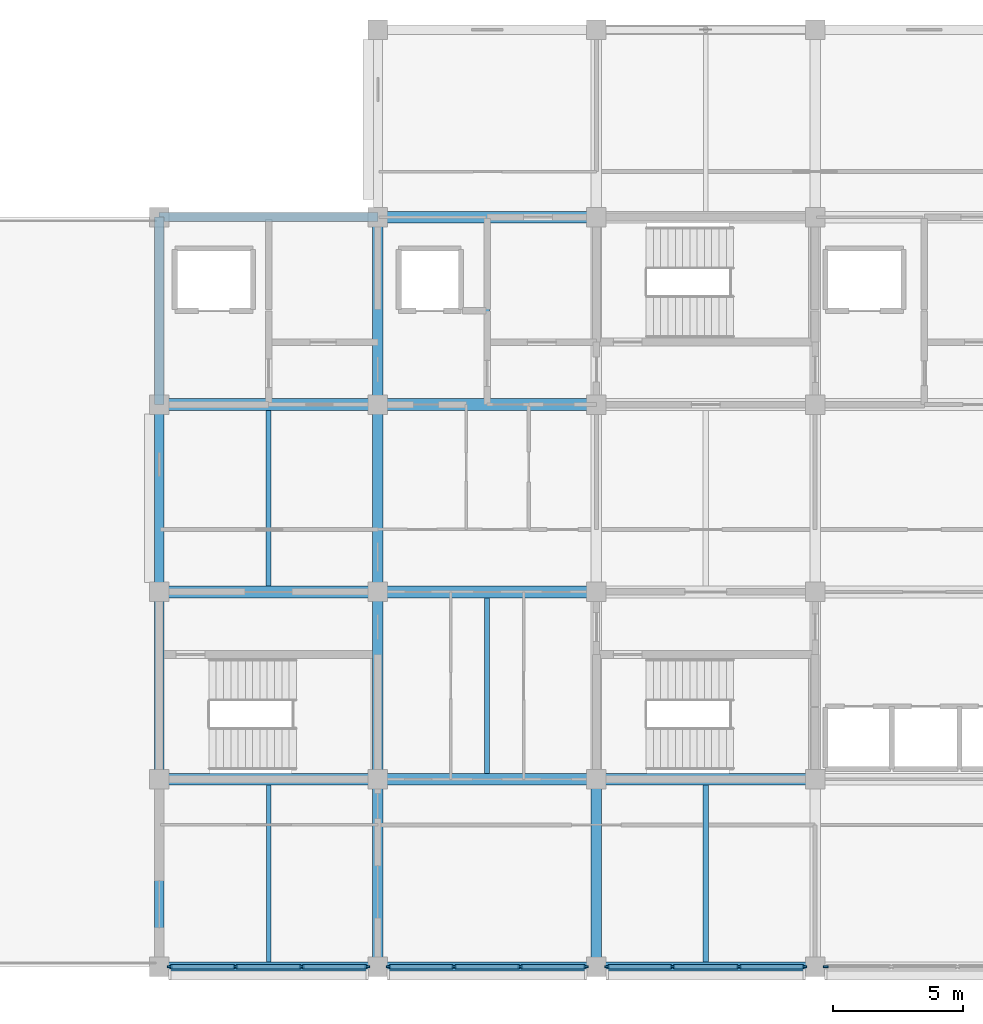
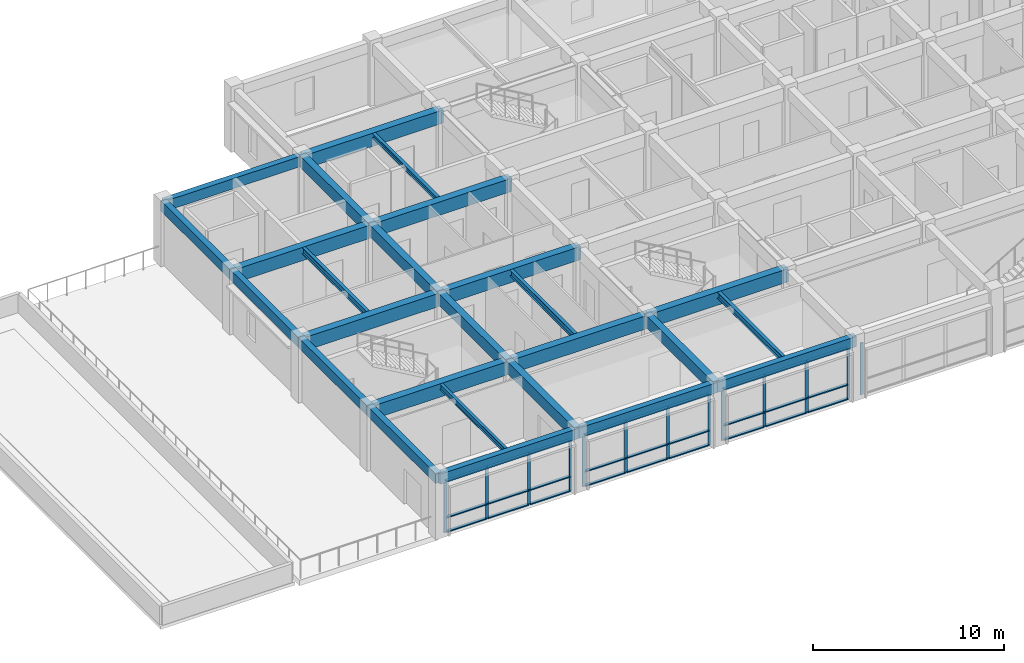
# One storey, part 2 of 27: 40 members, 26 beams, 4 elements without a shape of their own.
"""IFC4 building model written with IfcOpenShell, lengths in metres."""

from ifc_helpers import new_model, si_unit, direction, frame, origin, origin_2d, place, context, subcontext, project, spatial, rectangle, i_section, extrude, material, layer, layer_set, material_profile, profile_set, type_object, element, aggregate, save


model = new_model("IFC4")

# Units and contexts
model_context = context("Model", 3, precision=1e-05, world=origin(), true_north=direction((0.0, 1.0)))
body_context = subcontext(model_context, "Body", "Model", "MODEL_VIEW")
ifc_project = project(units=[si_unit("LENGTHUNIT", "METRE"), si_unit("AREAUNIT", "SQUARE_METRE"), si_unit("VOLUMEUNIT", "CUBIC_METRE"), si_unit("PLANEANGLEUNIT", "RADIAN"), si_unit("MASSUNIT", "GRAM", prefix="KILO")], contexts=[model_context])

# Site, building, storey
site_placement = place(None, origin())
site = spatial("IfcSite", under=ifc_project, at=site_placement, CompositionType="ELEMENT")
building_placement = place(site_placement, origin())
building = spatial("IfcBuilding", under=site, at=building_placement, Name="Chengyuan Square Courthouse", CompositionType="ELEMENT")
storey_placement = place(building_placement, frame((0.0, 0.0, 35.10009765625)))
storey = spatial("IfcBuildingStorey", under=building, at=storey_placement, Name="L08", CompositionType="ELEMENT", Elevation=35.10009765625)

# Beams
ifc_material_1 = material(Name="Concrete C40", Category="concrete")
ifc_material_profile_1 = material_profile(ifc_material_1, rectangle(XDim=0.449951171875, YDim=0.85009765625, at=origin_2d()), Name="RC-BM-450x850")
ifc_profile_set_1 = profile_set([ifc_material_profile_1], Name="Concrete C40")
beam_type_1 = type_object("IfcBeamType", Name="BM-01", PredefinedType="USERDEFINED", material=ifc_profile_set_1)
beam_1_placement = place(storey_placement, frame((42.0, 86.39990234375, 3.52490234375), z_axis=(1.0, 0.0, 0.0), x_axis=(0.0, 1.0, 0.0)))
element("IfcBeam", 1, at=beam_1_placement, inside=storey, type_object=beam_type_1, Name="Girder BM-L08-3778", ObjectType="GIRDER", PredefinedType="USERDEFINED", context=body_context, shape_type="SweptSolid", body=[
    extrude(rectangle(XDim=0.449951171875, YDim=0.85009765625, at=origin_2d()), origin(), (0.0, 0.0, 1.0), 8.39990234375),
])
beam_2_placement = place(storey_placement, frame((50.39990234375, 86.39990234375, 3.52490234375), z_axis=(1.0, 0.0, 0.0), x_axis=(0.0, 1.0, 0.0)))
element("IfcBeam", 2, at=beam_2_placement, inside=storey, type_object=beam_type_1, Name="Girder BM-L08-3779", ObjectType="GIRDER", PredefinedType="USERDEFINED", context=body_context, shape_type="SweptSolid", body=[
    extrude(rectangle(XDim=0.449951171875, YDim=0.85009765625, at=origin_2d()), origin(), (0.0, 0.0, 1.0), 8.400146484375),
])
for number, where, z_axis, x_axis, name in (
    (3, (58.800048828125, 86.39990234375, 3.52490234375), (1.0, 0.0, 0.0), (0.0, 1.0, 0.0), "Girder BM-L08-3780"),
    (4, (42.0, 93.60009765625, 3.52490234375), (1.0, 0.0, 0.0), (0.0, 1.0, 0.0), "Girder BM-L08-3788"),
):
    element("IfcBeam", number, at=place(storey_placement, frame(where, z_axis=z_axis, x_axis=x_axis)), inside=storey, type_object=beam_type_1, Name=name, ObjectType="GIRDER", PredefinedType="USERDEFINED", context=body_context, shape_type="SweptSolid", body=[
        extrude(rectangle(XDim=0.449951171875, YDim=0.85009765625, at=origin_2d()), origin(), (0.0, 0.0, 1.0), 8.39990234375),
    ])
beam_3_placement = place(storey_placement, frame((50.39990234375, 93.60009765625, 3.52490234375), z_axis=(1.0, 0.0, 0.0), x_axis=(0.0, 1.0, 0.0)))
element("IfcBeam", 5, at=beam_3_placement, inside=storey, type_object=beam_type_1, Name="Girder BM-L08-3789", ObjectType="GIRDER", PredefinedType="USERDEFINED", context=body_context, shape_type="SweptSolid", body=[
    extrude(rectangle(XDim=0.449951171875, YDim=0.85009765625, at=origin_2d()), origin(), (0.0, 0.0, 1.0), 8.400146484375),
])
beam_4_placement = place(storey_placement, frame((42.0, 100.800048828125, 3.52490234375), z_axis=(1.0, 0.0, 0.0), x_axis=(0.0, 1.0, 0.0)))
element("IfcBeam", 6, at=beam_4_placement, inside=storey, type_object=beam_type_1, Name="Girder BM-L08-3798", ObjectType="GIRDER", PredefinedType="USERDEFINED", context=body_context, shape_type="SweptSolid", body=[
    extrude(rectangle(XDim=0.449951171875, YDim=0.85009765625, at=origin_2d()), origin(), (0.0, 0.0, 1.0), 8.39990234375),
])
for number, where, z_axis, x_axis, name in (
    (7, (50.39990234375, 100.800048828125, 3.52490234375), (1.0, 0.0, 0.0), (0.0, 1.0, 0.0), "Girder BM-L08-3799"),
    (8, (50.39990234375, 108.0, 3.52490234375), (1.0, 0.0, 0.0), (0.0, 1.0, 0.0), "Girder BM-L08-3809"),
):
    element("IfcBeam", number, at=place(storey_placement, frame(where, z_axis=z_axis, x_axis=x_axis)), inside=storey, type_object=beam_type_1, Name=name, ObjectType="GIRDER", PredefinedType="USERDEFINED", context=body_context, shape_type="SweptSolid", body=[
        extrude(rectangle(XDim=0.449951171875, YDim=0.85009765625, at=origin_2d()), origin(), (0.0, 0.0, 1.0), 8.400146484375),
    ])
ifc_material_profile_2 = material_profile(ifc_material_1, rectangle(XDim=0.39990234375, YDim=0.75, at=origin_2d()), Name="RC-BM-400x750")
ifc_profile_set_2 = profile_set([ifc_material_profile_2], Name="Concrete C40")
beam_type_2 = type_object("IfcBeamType", Name="BM-02", PredefinedType="USERDEFINED", material=ifc_profile_set_2)
beam_5_placement = place(storey_placement, frame((50.39990234375, 79.199951171875, 3.574951171875), z_axis=(0.0, 1.0, 0.0), x_axis=(-1.0, 0.0, 0.0)))
element("IfcBeam", 9, at=beam_5_placement, inside=storey, type_object=beam_type_2, Name="Girder BM-L08-3830", ObjectType="GIRDER", PredefinedType="USERDEFINED", context=body_context, shape_type="SweptSolid", body=[
    extrude(rectangle(XDim=0.39990234375, YDim=0.75, at=origin_2d()), origin(), (0.0, 0.0, 1.0), 7.199951171875),
])
beam_6_placement = place(storey_placement, frame((50.39990234375, 86.39990234375, 3.574951171875), z_axis=(0.0, 1.0, 0.0), x_axis=(-1.0, 0.0, 0.0)))
element("IfcBeam", 10, at=beam_6_placement, inside=storey, type_object=beam_type_2, Name="Girder BM-L08-3831", ObjectType="GIRDER", PredefinedType="USERDEFINED", context=body_context, shape_type="SweptSolid", body=[
    extrude(rectangle(XDim=0.39990234375, YDim=0.75, at=origin_2d()), origin(), (0.0, 0.0, 1.0), 7.2001953125),
])
for number, where, z_axis, x_axis, name in (
    (11, (50.39990234375, 93.60009765625, 3.574951171875), (0.0, 1.0, 0.0), (-1.0, 0.0, 0.0), "Girder BM-L08-3832"),
    (12, (50.39990234375, 100.800048828125, 3.574951171875), (0.0, 1.0, 0.0), (-1.0, 0.0, 0.0), "Girder BM-L08-3833"),
    (13, (58.800048828125, 79.199951171875, 3.574951171875), (0.0, 1.0, 0.0), (-1.0, 0.0, 0.0), "Girder BM-L08-3835"),
):
    element("IfcBeam", number, at=place(storey_placement, frame(where, z_axis=z_axis, x_axis=x_axis)), inside=storey, type_object=beam_type_2, Name=name, ObjectType="GIRDER", PredefinedType="USERDEFINED", context=body_context, shape_type="SweptSolid", body=[
        extrude(rectangle(XDim=0.39990234375, YDim=0.75, at=origin_2d()), origin(), (0.0, 0.0, 1.0), 7.199951171875),
    ])
ifc_material_profile_3 = material_profile(ifc_material_1, rectangle(XDim=0.35009765625, YDim=0.64990234375, at=origin_2d()), Name="RC-BM-350x650")
ifc_profile_set_3 = profile_set([ifc_material_profile_3], Name="Concrete C40")
beam_type_3 = type_object("IfcBeamType", Name="BM-03", PredefinedType="SPANDREL", material=ifc_profile_set_3)
beam_7_placement = place(storey_placement, frame((42.0, 79.199951171875, 3.625), z_axis=(1.0, 0.0, 0.0), x_axis=(0.0, 1.0, 0.0)))
element("IfcBeam", 14, at=beam_7_placement, inside=storey, type_object=beam_type_3, Name="Girder BM-L08-3768", PredefinedType="SPANDREL", context=body_context, shape_type="SweptSolid", body=[
    extrude(rectangle(XDim=0.35009765625, YDim=0.64990234375, at=origin_2d()), origin(), (0.0, 0.0, 1.0), 8.39990234375),
])
beam_8_placement = place(storey_placement, frame((50.39990234375, 79.199951171875, 3.625), z_axis=(1.0, 0.0, 0.0), x_axis=(0.0, 1.0, 0.0)))
element("IfcBeam", 15, at=beam_8_placement, inside=storey, type_object=beam_type_3, Name="Girder BM-L08-3769", PredefinedType="SPANDREL", context=body_context, shape_type="SweptSolid", body=[
    extrude(rectangle(XDim=0.35009765625, YDim=0.64990234375, at=origin_2d()), origin(), (0.0, 0.0, 1.0), 8.400146484375),
])
for number, where, z_axis, x_axis, name in (
    (16, (58.800048828125, 79.199951171875, 3.625), (1.0, 0.0, 0.0), (0.0, 1.0, 0.0), "Girder BM-L08-3770"),
    (17, (42.0, 108.0, 3.625), (1.0, 0.0, 0.0), (0.0, 1.0, 0.0), "Girder BM-L08-3808"),
):
    element("IfcBeam", number, at=place(storey_placement, frame(where, z_axis=z_axis, x_axis=x_axis)), inside=storey, type_object=beam_type_3, Name=name, PredefinedType="SPANDREL", context=body_context, shape_type="SweptSolid", body=[
        extrude(rectangle(XDim=0.35009765625, YDim=0.64990234375, at=origin_2d()), origin(), (0.0, 0.0, 1.0), 8.39990234375),
    ])
beam_9_placement = place(storey_placement, frame((42.0, 79.199951171875, 3.625), z_axis=(0.0, 1.0, 0.0), x_axis=(-1.0, 0.0, 0.0)))
element("IfcBeam", 18, at=beam_9_placement, inside=storey, type_object=beam_type_3, Name="Girder BM-L08-3826", PredefinedType="SPANDREL", context=body_context, shape_type="SweptSolid", body=[
    extrude(rectangle(XDim=0.35009765625, YDim=0.64990234375, at=origin_2d()), origin(), (0.0, 0.0, 1.0), 7.199951171875),
])
beam_10_placement = place(storey_placement, frame((42.0, 86.39990234375, 3.625), z_axis=(0.0, 1.0, 0.0), x_axis=(-1.0, 0.0, 0.0)))
element("IfcBeam", 19, at=beam_10_placement, inside=storey, type_object=beam_type_3, Name="Girder BM-L08-3827", PredefinedType="SPANDREL", context=body_context, shape_type="SweptSolid", body=[
    extrude(rectangle(XDim=0.35009765625, YDim=0.64990234375, at=origin_2d()), origin(), (0.0, 0.0, 1.0), 7.2001953125),
])
for number, where, z_axis, x_axis, name in (
    (20, (42.0, 93.60009765625, 3.625), (0.0, 1.0, 0.0), (-1.0, 0.0, 0.0), "Girder BM-L08-3828"),
    (21, (42.0, 100.800048828125, 3.625), (0.0, 1.0, 0.0), (-1.0, 0.0, 0.0), "Girder BM-L08-3829"),
):
    element("IfcBeam", number, at=place(storey_placement, frame(where, z_axis=z_axis, x_axis=x_axis)), inside=storey, type_object=beam_type_3, Name=name, PredefinedType="SPANDREL", context=body_context, shape_type="SweptSolid", body=[
        extrude(rectangle(XDim=0.35009765625, YDim=0.64990234375, at=origin_2d()), origin(), (0.0, 0.0, 1.0), 7.199951171875),
    ])
ifc_material_2 = material(Name="Steel Q355B", Category="steel")
ifc_material_profile_4 = material_profile(ifc_material_2, i_section(OverallWidth=0.199951171875, OverallDepth=0.39990234375, WebThickness=0.008056640625, FlangeThickness=0.012939453125, at=origin_2d()), Name="HN 400x200x8x13")
ifc_profile_set_4 = profile_set([ifc_material_profile_4], Name="Steel Q355B")
beam_type_4 = type_object("IfcBeamType", Name="BM-07", PredefinedType="BEAM", material=ifc_profile_set_4)
for number, where, z_axis, x_axis, name in (
    (22, (46.199951171875, 93.824951171875, 3.75), (0.0, 1.0, 0.0), (-1.0, 0.0, 0.0), "Secondary Floor Beam SBM-L08-3880"),
    (23, (54.60009765625, 86.625, 3.75), (0.0, 1.0, 0.0), (-1.0, 0.0, 0.0), "Secondary Floor Beam SBM-L08-3881"),
):
    element("IfcBeam", number, at=place(storey_placement, frame(where, z_axis=z_axis, x_axis=x_axis)), inside=storey, type_object=beam_type_4, Name=name, PredefinedType="BEAM", context=body_context, shape_type="SweptSolid", body=[
        extrude(i_section(OverallWidth=0.199951171875, OverallDepth=0.39990234375, WebThickness=0.008056640625, FlangeThickness=0.012939453125, at=origin_2d()), origin(), (0.0, 0.0, 1.0), 6.75),
    ])
beam_11_placement = place(storey_placement, frame((63.0, 79.375, 3.75), z_axis=(0.0, 1.0, 0.0), x_axis=(-1.0, 0.0, 0.0)))
element("IfcBeam", 24, at=beam_11_placement, inside=storey, type_object=beam_type_4, Name="Secondary Floor Beam SBM-L08-3883", PredefinedType="BEAM", context=body_context, shape_type="SweptSolid", body=[
    extrude(i_section(OverallWidth=0.199951171875, OverallDepth=0.39990234375, WebThickness=0.008056640625, FlangeThickness=0.012939453125, at=origin_2d()), origin(), (0.0, 0.0, 1.0), 6.800048828125),
])
ifc_material_profile_5 = material_profile(ifc_material_2, i_section(OverallWidth=0.175048828125, OverallDepth=0.35009765625, WebThickness=0.007080078125, FlangeThickness=0.010986328125, at=origin_2d()), Name="HN 350x175x7x11")
ifc_profile_set_5 = profile_set([ifc_material_profile_5], Name="Steel Q355B")
beam_type_5 = type_object("IfcBeamType", Name="BM-08", PredefinedType="BEAM", material=ifc_profile_set_5)
beam_12_placement = place(storey_placement, frame((46.199951171875, 79.375, 3.77490234375), z_axis=(0.0, 1.0, 0.0), x_axis=(-1.0, 0.0, 0.0)))
element("IfcBeam", 25, at=beam_12_placement, inside=storey, type_object=beam_type_5, Name="Secondary Floor Beam SBM-L08-3879", PredefinedType="BEAM", context=body_context, shape_type="SweptSolid", body=[
    extrude(i_section(OverallWidth=0.175048828125, OverallDepth=0.35009765625, WebThickness=0.007080078125, FlangeThickness=0.010986328125, at=origin_2d()), origin(), (0.0, 0.0, 1.0), 6.800048828125),
])
ifc_material_profile_6 = material_profile(ifc_material_2, i_section(OverallWidth=0.199951171875, OverallDepth=0.300048828125, WebThickness=0.008056640625, FlangeThickness=0.011962890625, at=origin_2d()), Name="HM 300x200x8x12")
ifc_profile_set_6 = profile_set([ifc_material_profile_6], Name="Steel Q355B")
beam_type_6 = type_object("IfcBeamType", Name="BM-09", PredefinedType="BEAM", material=ifc_profile_set_6)
beam_13_placement = place(storey_placement, frame((54.60009765625, 101.02490234375, 3.7998046875), z_axis=(0.0, 1.0, 0.0), x_axis=(-1.0, 0.0, 0.0)))
element("IfcBeam", 26, at=beam_13_placement, inside=storey, type_object=beam_type_6, Name="Secondary Floor Beam SBM-L08-3882", PredefinedType="BEAM", context=body_context, shape_type="SweptSolid", body=[
    extrude(i_section(OverallWidth=0.199951171875, OverallDepth=0.300048828125, WebThickness=0.008056640625, FlangeThickness=0.011962890625, at=origin_2d()), origin(), (0.0, 0.0, 1.0), 6.75),
])

# Curtain wall, members
ifc_material_3 = material(Name="Unitised Aluminium and Triple Low-E Glass", Category="aluminium")
ifc_layer = layer(ifc_material_3, 0.179931640625)
ifc_layer_set = layer_set([ifc_layer], Name="Unitised Aluminium and Triple Low-E Glass")
curtain_wall_type = type_object("IfcCurtainWallType", Name="CW-22", PredefinedType="USERDEFINED", material=ifc_layer_set)
curtain_wall_1_placement = place(storey_placement, origin())
curtain_wall_1 = element("IfcCurtainWall", 27, at=curtain_wall_1_placement, inside=storey, type_object=curtain_wall_type, Name="Unitised Curtain Wall CW-L08-221", ObjectType="UNITISED CURTAIN WALL", PredefinedType="USERDEFINED")
ifc_material_4 = material(Name="Aluminium 6063-T6 Frame", Category="aluminium")
ifc_material_profile_7 = material_profile(ifc_material_4, rectangle(XDim=0.06494140625, YDim=0.179931640625, at=origin_2d()), Name="CW-MUL-65x180")
ifc_profile_set_7 = profile_set([ifc_material_profile_7], Name="Aluminium 6063-T6 Frame")
member_type_1 = type_object("IfcMemberType", Name="CWM-02", PredefinedType="MULLION", material=ifc_profile_set_7)
member_1_placement = place(storey_placement, frame((42.407470703125, 79.199951171875, 0.0), z_axis=(0.0, 0.0, 1.0), x_axis=(0.0, 1.0, 0.0)))
member_1 = element("IfcMember", 28, at=member_1_placement, type_object=member_type_1, Name="CW-22 mullion 1", PredefinedType="MULLION", context=body_context, shape_type="SweptSolid", body=[
    extrude(rectangle(XDim=0.06494140625, YDim=0.179931640625, at=origin_2d()), origin(), (0.0, 0.0, 1.0), 3.2998046875),
])
member_2_placement = place(storey_placement, frame((44.925048828125, 79.199951171875, 0.0), z_axis=(0.0, 0.0, 1.0), x_axis=(0.0, 1.0, 0.0)))
member_2 = element("IfcMember", 29, at=member_2_placement, type_object=member_type_1, Name="CW-22 mullion 2", PredefinedType="MULLION", context=body_context, shape_type="SweptSolid", body=[
    extrude(rectangle(XDim=0.06494140625, YDim=0.179931640625, at=origin_2d()), origin(), (0.0, 0.0, 1.0), 3.2998046875),
])
member_3_placement = place(storey_placement, frame((47.47509765625, 79.199951171875, 0.0), z_axis=(0.0, 0.0, 1.0), x_axis=(0.0, 1.0, 0.0)))
member_3 = element("IfcMember", 30, at=member_3_placement, type_object=member_type_1, Name="CW-22 mullion 3", PredefinedType="MULLION", context=body_context, shape_type="SweptSolid", body=[
    extrude(rectangle(XDim=0.06494140625, YDim=0.179931640625, at=origin_2d()), origin(), (0.0, 0.0, 1.0), 3.2998046875),
])
member_4_placement = place(storey_placement, frame((49.992431640625, 79.199951171875, 0.0), z_axis=(0.0, 0.0, 1.0), x_axis=(0.0, 1.0, 0.0)))
member_4 = element("IfcMember", 31, at=member_4_placement, type_object=member_type_1, Name="CW-22 mullion 4", PredefinedType="MULLION", context=body_context, shape_type="SweptSolid", body=[
    extrude(rectangle(XDim=0.06494140625, YDim=0.179931640625, at=origin_2d()), origin(), (0.0, 0.0, 1.0), 3.2998046875),
])

curtain_wall_2_placement = place(storey_placement, origin())
curtain_wall_2 = element("IfcCurtainWall", 32, at=curtain_wall_2_placement, inside=storey, type_object=curtain_wall_type, Name="Unitised Curtain Wall CW-L08-222", ObjectType="UNITISED CURTAIN WALL", PredefinedType="USERDEFINED")
member_5_placement = place(storey_placement, frame((50.8076171875, 79.199951171875, 0.0), z_axis=(0.0, 0.0, 1.0), x_axis=(0.0, 1.0, 0.0)))
member_5 = element("IfcMember", 33, at=member_5_placement, type_object=member_type_1, Name="CW-22 mullion 1", PredefinedType="MULLION", context=body_context, shape_type="SweptSolid", body=[
    extrude(rectangle(XDim=0.06494140625, YDim=0.179931640625, at=origin_2d()), origin(), (0.0, 0.0, 1.0), 3.2998046875),
])
member_6_placement = place(storey_placement, frame((53.324951171875, 79.199951171875, 0.0), z_axis=(0.0, 0.0, 1.0), x_axis=(0.0, 1.0, 0.0)))
member_6 = element("IfcMember", 34, at=member_6_placement, type_object=member_type_1, Name="CW-22 mullion 2", PredefinedType="MULLION", context=body_context, shape_type="SweptSolid", body=[
    extrude(rectangle(XDim=0.06494140625, YDim=0.179931640625, at=origin_2d()), origin(), (0.0, 0.0, 1.0), 3.2998046875),
])
member_7_placement = place(storey_placement, frame((55.875, 79.199951171875, 0.0), z_axis=(0.0, 0.0, 1.0), x_axis=(0.0, 1.0, 0.0)))
member_7 = element("IfcMember", 35, at=member_7_placement, type_object=member_type_1, Name="CW-22 mullion 3", PredefinedType="MULLION", context=body_context, shape_type="SweptSolid", body=[
    extrude(rectangle(XDim=0.06494140625, YDim=0.179931640625, at=origin_2d()), origin(), (0.0, 0.0, 1.0), 3.2998046875),
])
member_8_placement = place(storey_placement, frame((58.392578125, 79.199951171875, 0.0), z_axis=(0.0, 0.0, 1.0), x_axis=(0.0, 1.0, 0.0)))
member_8 = element("IfcMember", 36, at=member_8_placement, type_object=member_type_1, Name="CW-22 mullion 4", PredefinedType="MULLION", context=body_context, shape_type="SweptSolid", body=[
    extrude(rectangle(XDim=0.06494140625, YDim=0.179931640625, at=origin_2d()), origin(), (0.0, 0.0, 1.0), 3.2998046875),
])

curtain_wall_3_placement = place(storey_placement, origin())
curtain_wall_3 = element("IfcCurtainWall", 37, at=curtain_wall_3_placement, inside=storey, type_object=curtain_wall_type, Name="Unitised Curtain Wall CW-L08-223", ObjectType="UNITISED CURTAIN WALL", PredefinedType="USERDEFINED")
member_9_placement = place(storey_placement, frame((59.20751953125, 79.199951171875, 0.0), z_axis=(0.0, 0.0, 1.0), x_axis=(0.0, 1.0, 0.0)))
member_9 = element("IfcMember", 38, at=member_9_placement, type_object=member_type_1, Name="CW-22 mullion 1", PredefinedType="MULLION", context=body_context, shape_type="SweptSolid", body=[
    extrude(rectangle(XDim=0.06494140625, YDim=0.179931640625, at=origin_2d()), origin(), (0.0, 0.0, 1.0), 3.2998046875),
])
member_10_placement = place(storey_placement, frame((61.72509765625, 79.199951171875, 0.0), z_axis=(0.0, 0.0, 1.0), x_axis=(0.0, 1.0, 0.0)))
member_10 = element("IfcMember", 39, at=member_10_placement, type_object=member_type_1, Name="CW-22 mullion 2", PredefinedType="MULLION", context=body_context, shape_type="SweptSolid", body=[
    extrude(rectangle(XDim=0.06494140625, YDim=0.179931640625, at=origin_2d()), origin(), (0.0, 0.0, 1.0), 3.2998046875),
])
member_11_placement = place(storey_placement, frame((64.27490234375, 79.199951171875, 0.0), z_axis=(0.0, 0.0, 1.0), x_axis=(0.0, 1.0, 0.0)))
member_11 = element("IfcMember", 40, at=member_11_placement, type_object=member_type_1, Name="CW-22 mullion 3", PredefinedType="MULLION", context=body_context, shape_type="SweptSolid", body=[
    extrude(rectangle(XDim=0.06494140625, YDim=0.179931640625, at=origin_2d()), origin(), (0.0, 0.0, 1.0), 3.2998046875),
])
member_12_placement = place(storey_placement, frame((66.79248046875, 79.199951171875, 0.0), z_axis=(0.0, 0.0, 1.0), x_axis=(0.0, 1.0, 0.0)))
member_12 = element("IfcMember", 41, at=member_12_placement, type_object=member_type_1, Name="CW-22 mullion 4", PredefinedType="MULLION", context=body_context, shape_type="SweptSolid", body=[
    extrude(rectangle(XDim=0.06494140625, YDim=0.179931640625, at=origin_2d()), origin(), (0.0, 0.0, 1.0), 3.2998046875),
])

# Curtain wall, member
curtain_wall_4_placement = place(storey_placement, origin())
curtain_wall_4 = element("IfcCurtainWall", 42, at=curtain_wall_4_placement, inside=storey, type_object=curtain_wall_type, Name="Unitised Curtain Wall CW-L08-224", ObjectType="UNITISED CURTAIN WALL", PredefinedType="USERDEFINED")
member_13_placement = place(storey_placement, frame((67.607421875, 79.199951171875, 0.0), z_axis=(0.0, 0.0, 1.0), x_axis=(0.0, 1.0, 0.0)))
member_13 = element("IfcMember", 43, at=member_13_placement, type_object=member_type_1, Name="CW-22 mullion 1", PredefinedType="MULLION", context=body_context, shape_type="SweptSolid", body=[
    extrude(rectangle(XDim=0.06494140625, YDim=0.179931640625, at=origin_2d()), origin(), (0.0, 0.0, 1.0), 3.2998046875),
])
aggregate(curtain_wall_4, [member_13])

# Member
ifc_material_profile_8 = material_profile(ifc_material_4, rectangle(XDim=0.179931640625, YDim=0.06494140625, at=origin_2d()), Name="CW-TRN-65x140")
ifc_profile_set_8 = profile_set([ifc_material_profile_8], Name="Aluminium 6063-T6 Frame")
member_type_2 = type_object("IfcMemberType", Name="CWT-02", PredefinedType="USERDEFINED", material=ifc_profile_set_8)
member_14_placement = place(storey_placement, frame((42.43994140625, 79.199951171875, 0.032470703125), z_axis=(1.0, 0.0, 0.0), x_axis=(0.0, 1.0, 0.0)))
member_14 = element("IfcMember", 44, at=member_14_placement, type_object=member_type_2, Name="CW-22 transom 1.1", ObjectType="TRANSOM", PredefinedType="USERDEFINED", context=body_context, shape_type="SweptSolid", body=[
    extrude(rectangle(XDim=0.179931640625, YDim=0.06494140625, at=origin_2d()), origin(), (0.0, 0.0, 1.0), 2.45263671875),
])

member_15_placement = place(storey_placement, frame((42.43994140625, 79.199951171875, 0.949951171875), z_axis=(1.0, 0.0, 0.0), x_axis=(0.0, 1.0, 0.0)))
member_15 = element("IfcMember", 45, at=member_15_placement, type_object=member_type_2, Name="CW-22 transom 1.2", ObjectType="TRANSOM", PredefinedType="USERDEFINED", context=body_context, shape_type="SweptSolid", body=[
    extrude(rectangle(XDim=0.179931640625, YDim=0.06494140625, at=origin_2d()), origin(), (0.0, 0.0, 1.0), 2.45263671875),
])

member_16_placement = place(storey_placement, frame((42.43994140625, 79.199951171875, 3.267333984375), z_axis=(1.0, 0.0, 0.0), x_axis=(0.0, 1.0, 0.0)))
member_16 = element("IfcMember", 46, at=member_16_placement, type_object=member_type_2, Name="CW-22 transom 1.3", ObjectType="TRANSOM", PredefinedType="USERDEFINED", context=body_context, shape_type="SweptSolid", body=[
    extrude(rectangle(XDim=0.179931640625, YDim=0.06494140625, at=origin_2d()), origin(), (0.0, 0.0, 1.0), 2.45263671875),
])

member_17_placement = place(storey_placement, frame((44.95751953125, 79.199951171875, 0.032470703125), z_axis=(1.0, 0.0, 0.0), x_axis=(0.0, 1.0, 0.0)))
member_17 = element("IfcMember", 47, at=member_17_placement, type_object=member_type_2, Name="CW-22 transom 2.1", ObjectType="TRANSOM", PredefinedType="USERDEFINED", context=body_context, shape_type="SweptSolid", body=[
    extrude(rectangle(XDim=0.179931640625, YDim=0.06494140625, at=origin_2d()), origin(), (0.0, 0.0, 1.0), 2.48486328125),
])

member_18_placement = place(storey_placement, frame((44.95751953125, 79.199951171875, 0.949951171875), z_axis=(1.0, 0.0, 0.0), x_axis=(0.0, 1.0, 0.0)))
member_18 = element("IfcMember", 48, at=member_18_placement, type_object=member_type_2, Name="CW-22 transom 2.2", ObjectType="TRANSOM", PredefinedType="USERDEFINED", context=body_context, shape_type="SweptSolid", body=[
    extrude(rectangle(XDim=0.179931640625, YDim=0.06494140625, at=origin_2d()), origin(), (0.0, 0.0, 1.0), 2.48486328125),
])

member_19_placement = place(storey_placement, frame((44.95751953125, 79.199951171875, 3.267333984375), z_axis=(1.0, 0.0, 0.0), x_axis=(0.0, 1.0, 0.0)))
member_19 = element("IfcMember", 49, at=member_19_placement, type_object=member_type_2, Name="CW-22 transom 2.3", ObjectType="TRANSOM", PredefinedType="USERDEFINED", context=body_context, shape_type="SweptSolid", body=[
    extrude(rectangle(XDim=0.179931640625, YDim=0.06494140625, at=origin_2d()), origin(), (0.0, 0.0, 1.0), 2.48486328125),
])

member_20_placement = place(storey_placement, frame((47.507568359375, 79.199951171875, 0.032470703125), z_axis=(1.0, 0.0, 0.0), x_axis=(0.0, 1.0, 0.0)))
member_20 = element("IfcMember", 50, at=member_20_placement, type_object=member_type_2, Name="CW-22 transom 3.1", ObjectType="TRANSOM", PredefinedType="USERDEFINED", context=body_context, shape_type="SweptSolid", body=[
    extrude(rectangle(XDim=0.179931640625, YDim=0.06494140625, at=origin_2d()), origin(), (0.0, 0.0, 1.0), 2.452392578125),
])

member_21_placement = place(storey_placement, frame((47.507568359375, 79.199951171875, 0.949951171875), z_axis=(1.0, 0.0, 0.0), x_axis=(0.0, 1.0, 0.0)))
member_21 = element("IfcMember", 51, at=member_21_placement, type_object=member_type_2, Name="CW-22 transom 3.2", ObjectType="TRANSOM", PredefinedType="USERDEFINED", context=body_context, shape_type="SweptSolid", body=[
    extrude(rectangle(XDim=0.179931640625, YDim=0.06494140625, at=origin_2d()), origin(), (0.0, 0.0, 1.0), 2.452392578125),
])

member_22_placement = place(storey_placement, frame((47.507568359375, 79.199951171875, 3.267333984375), z_axis=(1.0, 0.0, 0.0), x_axis=(0.0, 1.0, 0.0)))
member_22 = element("IfcMember", 52, at=member_22_placement, type_object=member_type_2, Name="CW-22 transom 3.3", ObjectType="TRANSOM", PredefinedType="USERDEFINED", context=body_context, shape_type="SweptSolid", body=[
    extrude(rectangle(XDim=0.179931640625, YDim=0.06494140625, at=origin_2d()), origin(), (0.0, 0.0, 1.0), 2.452392578125),
])

aggregate(curtain_wall_1, [member_1, member_2, member_3, member_4, member_14, member_15, member_16, member_17, member_18, member_19, member_20, member_21, member_22])

member_23_placement = place(storey_placement, frame((50.840087890625, 79.199951171875, 0.032470703125), z_axis=(1.0, 0.0, 0.0), x_axis=(0.0, 1.0, 0.0)))
member_23 = element("IfcMember", 53, at=member_23_placement, type_object=member_type_2, Name="CW-22 transom 1.1", ObjectType="TRANSOM", PredefinedType="USERDEFINED", context=body_context, shape_type="SweptSolid", body=[
    extrude(rectangle(XDim=0.179931640625, YDim=0.06494140625, at=origin_2d()), origin(), (0.0, 0.0, 1.0), 2.452392578125),
])

member_24_placement = place(storey_placement, frame((50.840087890625, 79.199951171875, 0.949951171875), z_axis=(1.0, 0.0, 0.0), x_axis=(0.0, 1.0, 0.0)))
member_24 = element("IfcMember", 54, at=member_24_placement, type_object=member_type_2, Name="CW-22 transom 1.2", ObjectType="TRANSOM", PredefinedType="USERDEFINED", context=body_context, shape_type="SweptSolid", body=[
    extrude(rectangle(XDim=0.179931640625, YDim=0.06494140625, at=origin_2d()), origin(), (0.0, 0.0, 1.0), 2.452392578125),
])

member_25_placement = place(storey_placement, frame((50.840087890625, 79.199951171875, 3.267333984375), z_axis=(1.0, 0.0, 0.0), x_axis=(0.0, 1.0, 0.0)))
member_25 = element("IfcMember", 55, at=member_25_placement, type_object=member_type_2, Name="CW-22 transom 1.3", ObjectType="TRANSOM", PredefinedType="USERDEFINED", context=body_context, shape_type="SweptSolid", body=[
    extrude(rectangle(XDim=0.179931640625, YDim=0.06494140625, at=origin_2d()), origin(), (0.0, 0.0, 1.0), 2.452392578125),
])

member_26_placement = place(storey_placement, frame((53.357421875, 79.199951171875, 0.032470703125), z_axis=(1.0, 0.0, 0.0), x_axis=(0.0, 1.0, 0.0)))
member_26 = element("IfcMember", 56, at=member_26_placement, type_object=member_type_2, Name="CW-22 transom 2.1", ObjectType="TRANSOM", PredefinedType="USERDEFINED", context=body_context, shape_type="SweptSolid", body=[
    extrude(rectangle(XDim=0.179931640625, YDim=0.06494140625, at=origin_2d()), origin(), (0.0, 0.0, 1.0), 2.485107421875),
])

member_27_placement = place(storey_placement, frame((53.357421875, 79.199951171875, 0.949951171875), z_axis=(1.0, 0.0, 0.0), x_axis=(0.0, 1.0, 0.0)))
member_27 = element("IfcMember", 57, at=member_27_placement, type_object=member_type_2, Name="CW-22 transom 2.2", ObjectType="TRANSOM", PredefinedType="USERDEFINED", context=body_context, shape_type="SweptSolid", body=[
    extrude(rectangle(XDim=0.179931640625, YDim=0.06494140625, at=origin_2d()), origin(), (0.0, 0.0, 1.0), 2.485107421875),
])

member_28_placement = place(storey_placement, frame((53.357421875, 79.199951171875, 3.267333984375), z_axis=(1.0, 0.0, 0.0), x_axis=(0.0, 1.0, 0.0)))
member_28 = element("IfcMember", 58, at=member_28_placement, type_object=member_type_2, Name="CW-22 transom 2.3", ObjectType="TRANSOM", PredefinedType="USERDEFINED", context=body_context, shape_type="SweptSolid", body=[
    extrude(rectangle(XDim=0.179931640625, YDim=0.06494140625, at=origin_2d()), origin(), (0.0, 0.0, 1.0), 2.485107421875),
])

member_29_placement = place(storey_placement, frame((55.907470703125, 79.199951171875, 0.032470703125), z_axis=(1.0, 0.0, 0.0), x_axis=(0.0, 1.0, 0.0)))
member_29 = element("IfcMember", 59, at=member_29_placement, type_object=member_type_2, Name="CW-22 transom 3.1", ObjectType="TRANSOM", PredefinedType="USERDEFINED", context=body_context, shape_type="SweptSolid", body=[
    extrude(rectangle(XDim=0.179931640625, YDim=0.06494140625, at=origin_2d()), origin(), (0.0, 0.0, 1.0), 2.45263671875),
])

member_30_placement = place(storey_placement, frame((55.907470703125, 79.199951171875, 0.949951171875), z_axis=(1.0, 0.0, 0.0), x_axis=(0.0, 1.0, 0.0)))
member_30 = element("IfcMember", 60, at=member_30_placement, type_object=member_type_2, Name="CW-22 transom 3.2", ObjectType="TRANSOM", PredefinedType="USERDEFINED", context=body_context, shape_type="SweptSolid", body=[
    extrude(rectangle(XDim=0.179931640625, YDim=0.06494140625, at=origin_2d()), origin(), (0.0, 0.0, 1.0), 2.45263671875),
])

member_31_placement = place(storey_placement, frame((55.907470703125, 79.199951171875, 3.267333984375), z_axis=(1.0, 0.0, 0.0), x_axis=(0.0, 1.0, 0.0)))
member_31 = element("IfcMember", 61, at=member_31_placement, type_object=member_type_2, Name="CW-22 transom 3.3", ObjectType="TRANSOM", PredefinedType="USERDEFINED", context=body_context, shape_type="SweptSolid", body=[
    extrude(rectangle(XDim=0.179931640625, YDim=0.06494140625, at=origin_2d()), origin(), (0.0, 0.0, 1.0), 2.45263671875),
])

aggregate(curtain_wall_2, [member_5, member_6, member_7, member_8, member_23, member_24, member_25, member_26, member_27, member_28, member_29, member_30, member_31])

member_32_placement = place(storey_placement, frame((59.239990234375, 79.199951171875, 0.032470703125), z_axis=(1.0, 0.0, 0.0), x_axis=(0.0, 1.0, 0.0)))
member_32 = element("IfcMember", 62, at=member_32_placement, type_object=member_type_2, Name="CW-22 transom 1.1", ObjectType="TRANSOM", PredefinedType="USERDEFINED", context=body_context, shape_type="SweptSolid", body=[
    extrude(rectangle(XDim=0.179931640625, YDim=0.06494140625, at=origin_2d()), origin(), (0.0, 0.0, 1.0), 2.452392578125),
])

member_33_placement = place(storey_placement, frame((59.239990234375, 79.199951171875, 0.949951171875), z_axis=(1.0, 0.0, 0.0), x_axis=(0.0, 1.0, 0.0)))
member_33 = element("IfcMember", 63, at=member_33_placement, type_object=member_type_2, Name="CW-22 transom 1.2", ObjectType="TRANSOM", PredefinedType="USERDEFINED", context=body_context, shape_type="SweptSolid", body=[
    extrude(rectangle(XDim=0.179931640625, YDim=0.06494140625, at=origin_2d()), origin(), (0.0, 0.0, 1.0), 2.452392578125),
])

member_34_placement = place(storey_placement, frame((59.239990234375, 79.199951171875, 3.267333984375), z_axis=(1.0, 0.0, 0.0), x_axis=(0.0, 1.0, 0.0)))
member_34 = element("IfcMember", 64, at=member_34_placement, type_object=member_type_2, Name="CW-22 transom 1.3", ObjectType="TRANSOM", PredefinedType="USERDEFINED", context=body_context, shape_type="SweptSolid", body=[
    extrude(rectangle(XDim=0.179931640625, YDim=0.06494140625, at=origin_2d()), origin(), (0.0, 0.0, 1.0), 2.452392578125),
])

member_35_placement = place(storey_placement, frame((61.757568359375, 79.199951171875, 0.032470703125), z_axis=(1.0, 0.0, 0.0), x_axis=(0.0, 1.0, 0.0)))
member_35 = element("IfcMember", 65, at=member_35_placement, type_object=member_type_2, Name="CW-22 transom 2.1", ObjectType="TRANSOM", PredefinedType="USERDEFINED", context=body_context, shape_type="SweptSolid", body=[
    extrude(rectangle(XDim=0.179931640625, YDim=0.06494140625, at=origin_2d()), origin(), (0.0, 0.0, 1.0), 2.48486328125),
])

member_36_placement = place(storey_placement, frame((61.757568359375, 79.199951171875, 0.949951171875), z_axis=(1.0, 0.0, 0.0), x_axis=(0.0, 1.0, 0.0)))
member_36 = element("IfcMember", 66, at=member_36_placement, type_object=member_type_2, Name="CW-22 transom 2.2", ObjectType="TRANSOM", PredefinedType="USERDEFINED", context=body_context, shape_type="SweptSolid", body=[
    extrude(rectangle(XDim=0.179931640625, YDim=0.06494140625, at=origin_2d()), origin(), (0.0, 0.0, 1.0), 2.48486328125),
])

member_37_placement = place(storey_placement, frame((61.757568359375, 79.199951171875, 3.267333984375), z_axis=(1.0, 0.0, 0.0), x_axis=(0.0, 1.0, 0.0)))
member_37 = element("IfcMember", 67, at=member_37_placement, type_object=member_type_2, Name="CW-22 transom 2.3", ObjectType="TRANSOM", PredefinedType="USERDEFINED", context=body_context, shape_type="SweptSolid", body=[
    extrude(rectangle(XDim=0.179931640625, YDim=0.06494140625, at=origin_2d()), origin(), (0.0, 0.0, 1.0), 2.48486328125),
])

member_38_placement = place(storey_placement, frame((64.3076171875, 79.199951171875, 0.032470703125), z_axis=(1.0, 0.0, 0.0), x_axis=(0.0, 1.0, 0.0)))
member_38 = element("IfcMember", 68, at=member_38_placement, type_object=member_type_2, Name="CW-22 transom 3.1", ObjectType="TRANSOM", PredefinedType="USERDEFINED", context=body_context, shape_type="SweptSolid", body=[
    extrude(rectangle(XDim=0.179931640625, YDim=0.06494140625, at=origin_2d()), origin(), (0.0, 0.0, 1.0), 2.452392578125),
])

member_39_placement = place(storey_placement, frame((64.3076171875, 79.199951171875, 0.949951171875), z_axis=(1.0, 0.0, 0.0), x_axis=(0.0, 1.0, 0.0)))
member_39 = element("IfcMember", 69, at=member_39_placement, type_object=member_type_2, Name="CW-22 transom 3.2", ObjectType="TRANSOM", PredefinedType="USERDEFINED", context=body_context, shape_type="SweptSolid", body=[
    extrude(rectangle(XDim=0.179931640625, YDim=0.06494140625, at=origin_2d()), origin(), (0.0, 0.0, 1.0), 2.452392578125),
])

member_40_placement = place(storey_placement, frame((64.3076171875, 79.199951171875, 3.267333984375), z_axis=(1.0, 0.0, 0.0), x_axis=(0.0, 1.0, 0.0)))
member_40 = element("IfcMember", 70, at=member_40_placement, type_object=member_type_2, Name="CW-22 transom 3.3", ObjectType="TRANSOM", PredefinedType="USERDEFINED", context=body_context, shape_type="SweptSolid", body=[
    extrude(rectangle(XDim=0.179931640625, YDim=0.06494140625, at=origin_2d()), origin(), (0.0, 0.0, 1.0), 2.452392578125),
])

aggregate(curtain_wall_3, [member_9, member_10, member_11, member_12, member_32, member_33, member_34, member_35, member_36, member_37, member_38, member_39, member_40])

save(model, "model.ifc")
